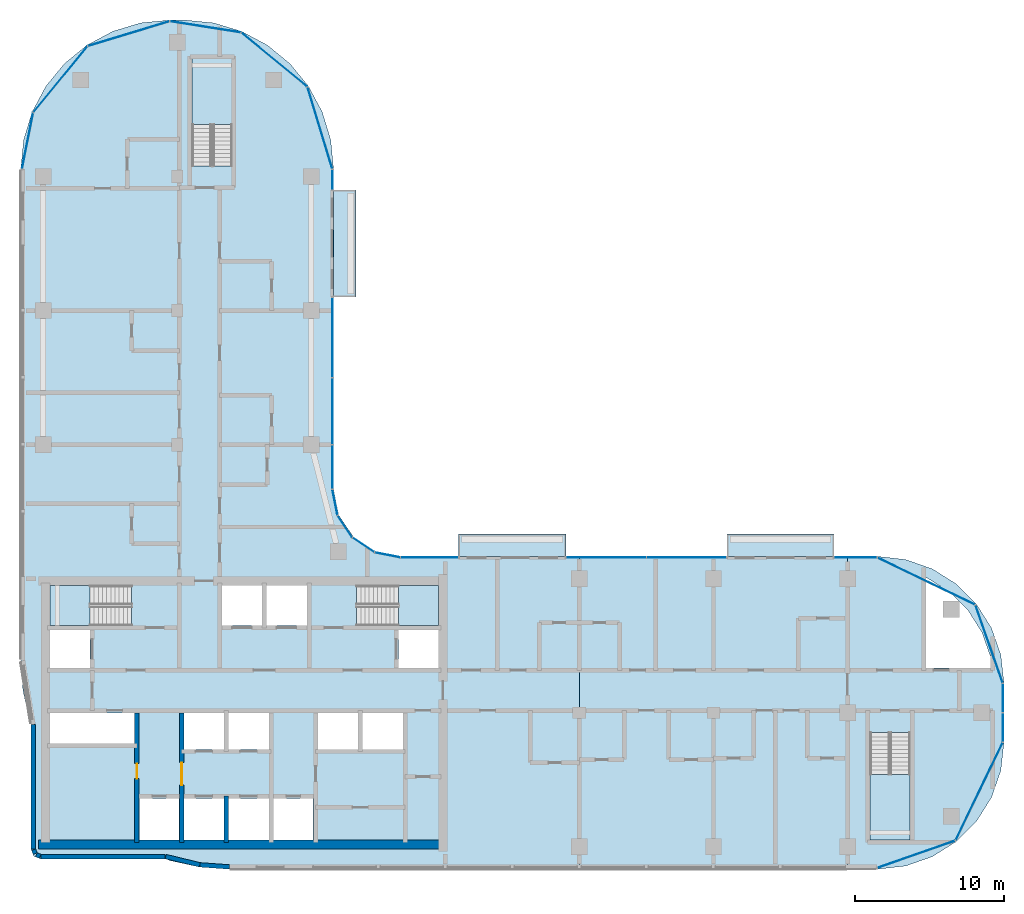
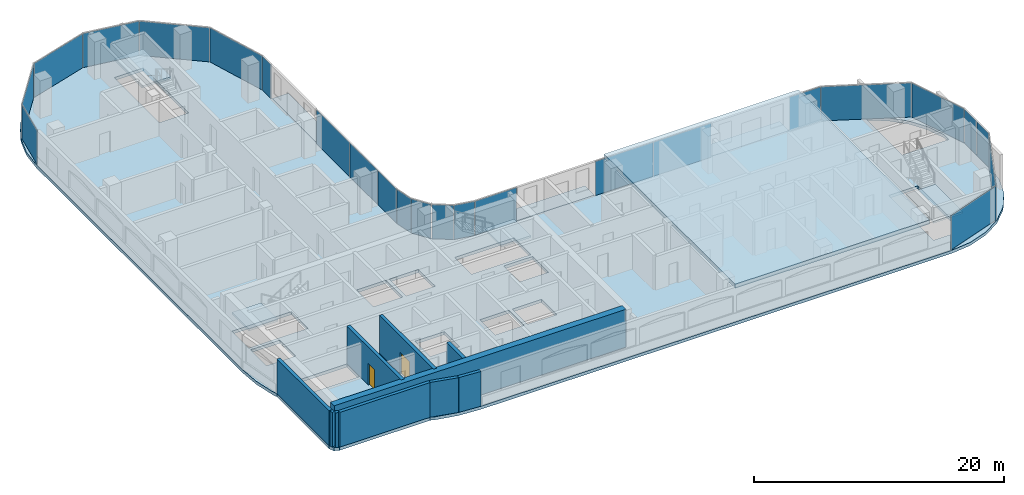
# One storey, part 6 of 22: 24 plates, 10 walls, 9 slabs, 2 doors, 2 openings, 14 elements without a shape of their own.
"""IFC4 building model written with IfcOpenShell, lengths in metres."""

from ifc_helpers import new_model, si_unit, direction, frame, frame_2d, origin, origin_2d, place, context, subcontext, project, spatial, polyline, rectangle, outline, extrude, material, layer, layer_set, type_object, element, fill, aggregate, save


model = new_model("IFC4")

# Units and contexts
model_context = context("Model", 3, precision=1e-05, world=origin(), true_north=direction((0.0, 1.0)))
body_context = subcontext(model_context, "Body", "Model", "MODEL_VIEW")
ifc_project = project(units=[si_unit("LENGTHUNIT", "METRE"), si_unit("AREAUNIT", "SQUARE_METRE"), si_unit("VOLUMEUNIT", "CUBIC_METRE"), si_unit("PLANEANGLEUNIT", "RADIAN"), si_unit("MASSUNIT", "GRAM", prefix="KILO")], contexts=[model_context])

# Site, building, storey
site_placement = place(None, origin())
site = spatial("IfcSite", under=ifc_project, at=site_placement, CompositionType="ELEMENT")
building_placement = place(site_placement, origin())
building = spatial("IfcBuilding", under=site, at=building_placement, Name="Ogive Portal Towers", CompositionType="ELEMENT")
storey_placement = place(building_placement, frame((0.0, 0.0, 145.89990234375)))
storey = spatial("IfcBuildingStorey", under=building, at=storey_placement, Name="L35", CompositionType="ELEMENT", Elevation=145.89990234375)

# Slabs
ifc_material_1 = material(Name="Concrete C40/50", Category="concrete")
ifc_layer_1 = layer(ifc_material_1, 0.199951171875)
ifc_layer_set_1 = layer_set([ifc_layer_1], Name="BALCONY SLAB 200")
slab_type_1 = type_object("IfcSlabType", Name="BALCONY SLAB 200", PredefinedType="FLOOR", material=ifc_layer_set_1)
slab_1_placement = place(storey_placement, frame((0.0, 0.0, -0.199951171875)))
element("IfcSlab", 1, at=slab_1_placement, inside=storey, type_object=slab_type_1, Name="Balcony T1", PredefinedType="FLOOR", context=body_context, shape_type="SweptSolid", body=[
    extrude(outline(polyline([(59.39990234375, 41.0), (66.60009765625, 41.0), (66.60009765625, 42.5), (59.39990234375, 42.5), (59.39990234375, 41.0)])), origin(), (0.0, 0.0, 1.0), 0.199951171875),
])
slab_2_placement = place(storey_placement, frame((0.0, 0.0, -0.199951171875)))
element("IfcSlab", 2, at=slab_2_placement, inside=storey, type_object=slab_type_1, Name="Balcony T3", PredefinedType="FLOOR", context=body_context, shape_type="SweptSolid", body=[
    extrude(outline(polyline([(77.39990234375, 41.0), (84.60009765625, 41.0), (84.60009765625, 42.5), (77.39990234375, 42.5), (77.39990234375, 41.0)])), origin(), (0.0, 0.0, 1.0), 0.199951171875),
])
slab_3_placement = place(storey_placement, frame((0.0, 0.0, -0.199951171875)))
element("IfcSlab", 3, at=slab_3_placement, inside=storey, type_object=slab_type_1, Name="Balcony S2", PredefinedType="FLOOR", context=body_context, shape_type="SweptSolid", body=[
    extrude(outline(polyline([(51.0, 58.39990234375), (52.5, 58.39990234375), (52.5, 65.60009765625), (51.0, 65.60009765625), (51.0, 58.39990234375)])), origin(), (0.0, 0.0, 1.0), 0.199951171875),
])

# Curtain wall, plates
ifc_material_2 = material(Name="Glass, clear low-iron insulated glazing", Category="glass")
curtain_wall_type = type_object("IfcCurtainWallType", Name="CW FRONT RIBBON 4500", PredefinedType="NOTDEFINED", material=ifc_material_2)
curtain_wall_1_placement = place(storey_placement, origin())
curtain_wall_1 = element("IfcCurtainWall", 4, at=curtain_wall_1_placement, inside=storey, type_object=curtain_wall_type, Name="A:L35:f09:cw0", PredefinedType="NOTDEFINED")
ifc_layer_2 = layer(ifc_material_2, 0.028076171875)
ifc_layer_set_2 = layer_set([ifc_layer_2], Name="CW PANEL IGU 28")
plate_type = type_object("IfcPlateType", Name="CW PANEL IGU 28", PredefinedType="CURTAIN_PANEL", material=ifc_layer_set_2)
plate_1_placement = place(storey_placement, frame((95.919921875, 29.509033203125, 0.0), z_axis=(0.0, 0.0, 1.0), x_axis=(0.0, 1.0, 0.0)))
plate_1 = element("IfcPlate", 5, at=plate_1_placement, type_object=plate_type, Name="panel", PredefinedType="CURTAIN_PANEL", context=body_context, shape_type="SweptSolid", body=[
    extrude(rectangle(XDim=1.921630859375, YDim=0.028076171875, at=origin_2d()), origin(), (0.0, 0.0, 1.0), 3.340087890625),
])
plate_2_placement = place(storey_placement, frame((95.919921875, 31.4931640625, 0.0), z_axis=(0.0, 0.0, 1.0), x_axis=(0.0, 1.0, 0.0)))
plate_2 = element("IfcPlate", 6, at=plate_2_placement, type_object=plate_type, Name="panel", PredefinedType="CURTAIN_PANEL", context=body_context, shape_type="SweptSolid", body=[
    extrude(rectangle(XDim=1.926513671875, YDim=0.028076171875, at=origin_2d()), origin(), (0.0, 0.0, 1.0), 3.340087890625),
])
aggregate(curtain_wall_1, [plate_1, plate_2])

# Curtain wall, plate
curtain_wall_2_placement = place(storey_placement, origin())
curtain_wall_2 = element("IfcCurtainWall", 7, at=curtain_wall_2_placement, inside=storey, type_object=curtain_wall_type, Name="A:L35:f12:cw0", PredefinedType="NOTDEFINED")
plate_3_placement = place(storey_placement, frame((86.0322265625, 40.919921875, 0.0), z_axis=(0.0, 0.0, 1.0), x_axis=(-1.0, 0.0, 0.0)))
plate_3 = element("IfcPlate", 8, at=plate_3_placement, type_object=plate_type, Name="panel", PredefinedType="CURTAIN_PANEL", context=body_context, shape_type="SweptSolid", body=[
    extrude(rectangle(XDim=2.839111328125, YDim=0.028076171875, at=origin_2d()), origin(), (0.0, 0.0, 1.0), 3.340087890625),
])
aggregate(curtain_wall_2, [plate_3])

# Curtain wall, plates
curtain_wall_3_placement = place(storey_placement, origin())
curtain_wall_3 = element("IfcCurtainWall", 9, at=curtain_wall_3_placement, inside=storey, type_object=curtain_wall_type, Name="A:L35:f12:cw1", PredefinedType="NOTDEFINED")
plate_4_placement = place(storey_placement, frame((74.692626953125, 40.919921875, 0.0), z_axis=(0.0, 0.0, 1.0), x_axis=(-1.0, 0.0, 0.0)))
plate_4 = element("IfcPlate", 10, at=plate_4_placement, type_object=plate_type, Name="panel", PredefinedType="CURTAIN_PANEL", context=body_context, shape_type="SweptSolid", body=[
    extrude(rectangle(XDim=5.324951171875, YDim=0.028076171875, at=origin_2d()), origin(), (0.0, 0.0, 1.0), 3.340087890625),
])
plate_5_placement = place(storey_placement, frame((69.294189453125, 40.919921875, 0.0), z_axis=(0.0, 0.0, 1.0), x_axis=(-1.0, 0.0, 0.0)))
plate_5 = element("IfcPlate", 11, at=plate_5_placement, type_object=plate_type, Name="panel", PredefinedType="CURTAIN_PANEL", context=body_context, shape_type="SweptSolid", body=[
    extrude(rectangle(XDim=5.3515625, YDim=0.028076171875, at=origin_2d()), origin(), (0.0, 0.0, 1.0), 3.340087890625),
])
aggregate(curtain_wall_3, [plate_4, plate_5])

# Curtain wall, plate
curtain_wall_4_placement = place(storey_placement, origin())
curtain_wall_4 = element("IfcCurtainWall", 12, at=curtain_wall_4_placement, inside=storey, type_object=curtain_wall_type, Name="A:L35:f12:cw2", PredefinedType="NOTDEFINED")
plate_6_placement = place(storey_placement, frame((57.44140625, 40.919921875, 0.0), z_axis=(0.0, 0.0, 1.0), x_axis=(-1.0, 0.0, 0.0)))
plate_6 = element("IfcPlate", 13, at=plate_6_placement, type_object=plate_type, Name="panel", PredefinedType="CURTAIN_PANEL", context=body_context, shape_type="SweptSolid", body=[
    extrude(rectangle(XDim=3.838623046875, YDim=0.028076171875, at=origin_2d()), origin(), (0.0, 0.0, 1.0), 3.340087890625),
])
aggregate(curtain_wall_4, [plate_6])

# Curtain wall, plates
curtain_wall_5_placement = place(storey_placement, origin())
curtain_wall_5 = element("IfcCurtainWall", 14, at=curtain_wall_5_placement, inside=storey, type_object=curtain_wall_type, Name="A:L35:f17:cw0", PredefinedType="NOTDEFINED")
plate_7_placement = place(storey_placement, frame((50.919921875, 46.99609375, 0.0), z_axis=(0.0, 0.0, 1.0), x_axis=(0.0, 1.0, 0.0)))
plate_7 = element("IfcPlate", 15, at=plate_7_placement, type_object=plate_type, Name="panel", PredefinedType="CURTAIN_PANEL", context=body_context, shape_type="SweptSolid", body=[
    extrude(rectangle(XDim=2.947998046875, YDim=0.028076171875, at=origin_2d()), origin(), (0.0, 0.0, 1.0), 3.340087890625),
])
plate_8_placement = place(storey_placement, frame((50.919921875, 50.75, 0.0), z_axis=(0.0, 0.0, 1.0), x_axis=(0.0, 1.0, 0.0)))
plate_8 = element("IfcPlate", 16, at=plate_8_placement, type_object=plate_type, Name="panel", PredefinedType="CURTAIN_PANEL", context=body_context, shape_type="SweptSolid", body=[
    extrude(rectangle(XDim=4.43994140625, YDim=0.028076171875, at=origin_2d()), origin(), (0.0, 0.0, 1.0), 3.340087890625),
])
plate_9_placement = place(storey_placement, frame((50.919921875, 55.69482421875, 0.0), z_axis=(0.0, 0.0, 1.0), x_axis=(0.0, 1.0, 0.0)))
plate_9 = element("IfcPlate", 17, at=plate_9_placement, type_object=plate_type, Name="panel", PredefinedType="CURTAIN_PANEL", context=body_context, shape_type="SweptSolid", body=[
    extrude(rectangle(XDim=5.329833984375, YDim=0.028076171875, at=origin_2d()), origin(), (0.0, 0.0, 1.0), 3.340087890625),
])
aggregate(curtain_wall_5, [plate_7, plate_8, plate_9])

# Curtain wall, plate
curtain_wall_6_placement = place(storey_placement, origin())
curtain_wall_6 = element("IfcCurtainWall", 18, at=curtain_wall_6_placement, inside=storey, type_object=curtain_wall_type, Name="A:L35:f17:cw1", PredefinedType="NOTDEFINED")
plate_10_placement = place(storey_placement, frame((50.919921875, 66.288330078125, 0.0), z_axis=(0.0, 0.0, 1.0), x_axis=(0.0, 1.0, 0.0)))
plate_10 = element("IfcPlate", 19, at=plate_10_placement, type_object=plate_type, Name="panel", PredefinedType="CURTAIN_PANEL", context=body_context, shape_type="SweptSolid", body=[
    extrude(rectangle(XDim=1.33984375, YDim=0.028076171875, at=origin_2d()), origin(), (0.0, 0.0, 1.0), 3.340087890625),
])
aggregate(curtain_wall_6, [plate_10])

# Curtain wall, plates
curtain_wall_7_placement = place(storey_placement, origin())
curtain_wall_7 = element("IfcCurtainWall", 20, at=curtain_wall_7_placement, inside=storey, type_object=curtain_wall_type, Name="A:L35:f07:cwa", PredefinedType="NOTDEFINED")
plate_11_placement = place(storey_placement, frame((90.1142578125, 20.99951171875, 0.0), z_axis=(0.0, 0.0, 1.0), x_axis=(0.943883330307, 0.33027906196, 0.0)))
plate_11 = element("IfcPlate", 21, at=plate_11_placement, type_object=plate_type, Name="panel", PredefinedType="CURTAIN_PANEL", context=body_context, shape_type="SweptSolid", body=[
    extrude(rectangle(XDim=5.508056640625, YDim=0.028076171875, at=origin_2d()), origin(), (0.0, 0.0, 1.0), 3.340087890625),
])
plate_12_placement = place(storey_placement, frame((94.3310546875, 25.21875, 0.0), z_axis=(0.0, 0.0, 1.0), x_axis=(0.433883739113, 0.900968867905, 0.0)))
plate_12 = element("IfcPlate", 22, at=plate_12_placement, type_object=plate_type, Name="panel", PredefinedType="CURTAIN_PANEL", context=body_context, shape_type="SweptSolid", body=[
    extrude(rectangle(XDim=7.2646484375, YDim=0.028076171875, at=origin_2d()), origin(), (0.0, 0.0, 1.0), 3.340087890625),
])
aggregate(curtain_wall_7, [plate_11, plate_12])

curtain_wall_8_placement = place(storey_placement, origin())
curtain_wall_8 = element("IfcCurtainWall", 23, at=curtain_wall_8_placement, inside=storey, type_object=curtain_wall_type, Name="A:L35:f10:cwa", PredefinedType="NOTDEFINED")
plate_13_placement = place(storey_placement, frame((95.00048828125, 35.1142578125, 0.0), z_axis=(0.0, 0.0, 1.0), x_axis=(-0.33027906196, 0.943883330307, 0.0)))
plate_13 = element("IfcPlate", 24, at=plate_13_placement, type_object=plate_type, Name="panel", PredefinedType="CURTAIN_PANEL", context=body_context, shape_type="SweptSolid", body=[
    extrude(rectangle(XDim=5.508056640625, YDim=0.028076171875, at=origin_2d()), origin(), (0.0, 0.0, 1.0), 3.340087890625),
])
plate_14_placement = place(storey_placement, frame((90.78125, 39.3310546875, 0.0), z_axis=(0.0, 0.0, 1.0), x_axis=(-0.900968867905, 0.433883739113, 0.0)))
plate_14 = element("IfcPlate", 25, at=plate_14_placement, type_object=plate_type, Name="panel", PredefinedType="CURTAIN_PANEL", context=body_context, shape_type="SweptSolid", body=[
    extrude(rectangle(XDim=7.2646484375, YDim=0.028076171875, at=origin_2d()), origin(), (0.0, 0.0, 1.0), 3.340087890625),
])
aggregate(curtain_wall_8, [plate_13, plate_14])

curtain_wall_9_placement = place(storey_placement, origin())
curtain_wall_9 = element("IfcCurtainWall", 26, at=curtain_wall_9_placement, inside=storey, type_object=curtain_wall_type, Name="A:L35:f13:cwa", PredefinedType="NOTDEFINED")
plate_15_placement = place(storey_placement, frame((54.619384765625, 41.093505859375, 0.0), z_axis=(0.0, 0.0, 1.0), x_axis=(-0.980785280403, 0.195090322016, 0.0)))
plate_15 = element("IfcPlate", 27, at=plate_15_placement, type_object=plate_type, Name="panel", PredefinedType="CURTAIN_PANEL", context=body_context, shape_type="SweptSolid", body=[
    extrude(rectangle(XDim=1.7197265625, YDim=0.028076171875, at=origin_2d()), origin(), (0.0, 0.0, 1.0), 3.340087890625),
])
plate_16_placement = place(storey_placement, frame((53.00341796875, 41.763671875, 0.0), z_axis=(0.0, 0.0, 1.0), x_axis=(-0.831469612303, 0.55557023302, 0.0)))
plate_16 = element("IfcPlate", 28, at=plate_16_placement, type_object=plate_type, Name="panel", PredefinedType="CURTAIN_PANEL", context=body_context, shape_type="SweptSolid", body=[
    extrude(rectangle(XDim=1.7275390625, YDim=0.028076171875, at=origin_2d()), origin(), (0.0, 0.0, 1.0), 3.340087890625),
])
plate_17_placement = place(storey_placement, frame((51.763671875, 43.00341796875, 0.0), z_axis=(0.0, 0.0, 1.0), x_axis=(-0.55557023302, 0.831469612303, 0.0)))
plate_17 = element("IfcPlate", 29, at=plate_17_placement, type_object=plate_type, Name="panel", PredefinedType="CURTAIN_PANEL", context=body_context, shape_type="SweptSolid", body=[
    extrude(rectangle(XDim=1.7275390625, YDim=0.028076171875, at=origin_2d()), origin(), (0.0, 0.0, 1.0), 3.340087890625),
])
plate_18_placement = place(storey_placement, frame((51.093505859375, 44.619384765625, 0.0), z_axis=(0.0, 0.0, 1.0), x_axis=(-0.195090322016, 0.980785280403, 0.0)))
plate_18 = element("IfcPlate", 30, at=plate_18_placement, type_object=plate_type, Name="panel", PredefinedType="CURTAIN_PANEL", context=body_context, shape_type="SweptSolid", body=[
    extrude(rectangle(XDim=1.7197265625, YDim=0.028076171875, at=origin_2d()), origin(), (0.0, 0.0, 1.0), 3.340087890625),
])
aggregate(curtain_wall_9, [plate_15, plate_16, plate_17, plate_18])

curtain_wall_10_placement = place(storey_placement, origin())
curtain_wall_10 = element("IfcCurtainWall", 31, at=curtain_wall_10_placement, inside=storey, type_object=curtain_wall_type, Name="A:L35:f18:cwa", PredefinedType="NOTDEFINED")
plate_19_placement = place(storey_placement, frame((50.08251953125, 69.748779296875, 0.0), z_axis=(0.0, 0.0, 1.0), x_axis=(-0.290284677254, 0.956940335732, 0.0)))
plate_19 = element("IfcPlate", 32, at=plate_19_placement, type_object=plate_type, Name="panel", PredefinedType="CURTAIN_PANEL", context=body_context, shape_type="SweptSolid", body=[
    extrude(rectangle(XDim=5.70947265625, YDim=0.028076171875, at=origin_2d()), origin(), (0.0, 0.0, 1.0), 3.340087890625),
])
plate_20_placement = place(storey_placement, frame((47.01904296875, 74.336181640625, 0.0), z_axis=(0.0, 0.0, 1.0), x_axis=(-0.773010453363, 0.634393284164, 0.0)))
plate_20 = element("IfcPlate", 33, at=plate_20_placement, type_object=plate_type, Name="panel", PredefinedType="CURTAIN_PANEL", context=body_context, shape_type="SweptSolid", body=[
    extrude(rectangle(XDim=5.69970703125, YDim=0.028076171875, at=origin_2d()), origin(), (0.0, 0.0, 1.0), 3.340087890625),
])
plate_21_placement = place(storey_placement, frame((42.399169921875, 76.54052734375, 0.0), z_axis=(0.0, 0.0, 1.0), x_axis=(-0.987792174992, 0.155777466355, 0.0)))
plate_21 = element("IfcPlate", 34, at=plate_21_placement, type_object=plate_type, Name="panel", PredefinedType="CURTAIN_PANEL", context=body_context, shape_type="SweptSolid", body=[
    extrude(rectangle(XDim=4.786376953125, YDim=0.028076171875, at=origin_2d()), origin(), (0.0, 0.0, 1.0), 3.340087890625),
])
plate_22_placement = place(storey_placement, frame((37.248291015625, 76.08154296875, 0.0), z_axis=(0.0, 0.0, 1.0), x_axis=(-0.956940335732, -0.290284677254, 0.0)))
plate_22 = element("IfcPlate", 35, at=plate_22_placement, type_object=plate_type, Name="panel", PredefinedType="CURTAIN_PANEL", context=body_context, shape_type="SweptSolid", body=[
    extrude(rectangle(XDim=5.703125, YDim=0.028076171875, at=origin_2d()), origin(), (0.0, 0.0, 1.0), 3.340087890625),
])
plate_23_placement = place(storey_placement, frame((32.663330078125, 73.018310546875, 0.0), z_axis=(0.0, 0.0, 1.0), x_axis=(-0.634393284164, -0.773010453363, 0.0)))
plate_23 = element("IfcPlate", 36, at=plate_23_placement, type_object=plate_type, Name="panel", PredefinedType="CURTAIN_PANEL", context=body_context, shape_type="SweptSolid", body=[
    extrude(rectangle(XDim=5.701416015625, YDim=0.028076171875, at=origin_2d()), origin(), (0.0, 0.0, 1.0), 3.340087890625),
])
plate_24_placement = place(storey_placement, frame((30.457763671875, 68.891845703125, 0.0), z_axis=(0.0, 0.0, 1.0), x_axis=(-0.195090322016, -0.980785280403, 0.0)))
plate_24 = element("IfcPlate", 37, at=plate_24_placement, type_object=plate_type, Name="panel", PredefinedType="CURTAIN_PANEL", context=body_context, shape_type="SweptSolid", body=[
    extrude(rectangle(XDim=3.81396484375, YDim=0.028076171875, at=origin_2d()), origin(), (0.0, 0.0, 1.0), 3.340087890625),
])
aggregate(curtain_wall_10, [plate_19, plate_20, plate_21, plate_22, plate_23, plate_24])

# Stair, slab
stair_type = type_object("IfcStairType", Name="INT-STAIR", PredefinedType="HALF_TURN_STAIR", material=ifc_material_1)
stair_1_placement = place(storey_placement, origin())
stair_1 = element("IfcStair", 38, at=stair_1_placement, inside=storey, type_object=stair_type, Name="L35 Exit Stair ST-A1", PredefinedType="HALF_TURN_STAIR")
ifc_layer_3 = layer(ifc_material_1, 0.199951171875)
ifc_layer_set_3 = layer_set([ifc_layer_3], Name="INT-LANDING")
slab_type_2 = type_object("IfcSlabType", Name="INT-LANDING", PredefinedType="LANDING", material=ifc_layer_set_3)
slab_4_placement = place(storey_placement, frame((0.0, 0.0, 1.650146484375)))
slab_4 = element("IfcSlab", 39, at=slab_4_placement, type_object=slab_type_2, Name="ST-A1 landing 1", PredefinedType="LANDING", context=body_context, shape_type="SweptSolid", body=[
    extrude(outline(polyline([(34.64990234375, 39.050048828125), (31.949951171875, 39.050048828125), (31.949951171875, 36.35009765625), (34.64990234375, 36.35009765625), (34.64990234375, 39.050048828125)])), origin(), (0.0, 0.0, 1.0), 0.199951171875),
])
aggregate(stair_1, [slab_4])

stair_2_placement = place(storey_placement, origin())
stair_2 = element("IfcStair", 40, at=stair_2_placement, inside=storey, type_object=stair_type, Name="L35 Exit Stair ST-A2", PredefinedType="HALF_TURN_STAIR")
slab_5_placement = place(storey_placement, frame((0.0, 0.0, 1.650146484375)))
slab_5 = element("IfcSlab", 41, at=slab_5_placement, type_object=slab_type_2, Name="ST-A2 landing 1", PredefinedType="LANDING", context=body_context, shape_type="SweptSolid", body=[
    extrude(outline(polyline([(55.35009765625, 36.35009765625), (58.050048828125, 36.35009765625), (58.050048828125, 39.050048828125), (55.35009765625, 39.050048828125), (55.35009765625, 36.35009765625)])), origin(), (0.0, 0.0, 1.0), 0.199951171875),
])
aggregate(stair_2, [slab_5])

stair_3_placement = place(storey_placement, origin())
stair_3 = element("IfcStair", 42, at=stair_3_placement, inside=storey, type_object=stair_type, Name="L35 Exit Stair ST-A3", PredefinedType="HALF_TURN_STAIR")
slab_6_placement = place(storey_placement, frame((0.0, 0.0, 1.650146484375)))
slab_6 = element("IfcSlab", 43, at=slab_6_placement, type_object=slab_type_2, Name="ST-A3 landing 1", PredefinedType="LANDING", context=body_context, shape_type="SweptSolid", body=[
    extrude(outline(polyline([(44.199951171875, 70.0), (44.199951171875, 74.449951171875), (41.5, 74.449951171875), (41.5, 70.0), (44.199951171875, 70.0)])), origin(), (0.0, 0.0, 1.0), 0.199951171875),
])
aggregate(stair_3, [slab_6])

stair_4_placement = place(storey_placement, origin())
stair_4 = element("IfcStair", 44, at=stair_4_placement, inside=storey, type_object=stair_type, Name="L35 Exit Stair ST-A4", PredefinedType="HALF_TURN_STAIR")
slab_7_placement = place(storey_placement, frame((0.0, 0.0, 1.650146484375)))
slab_7 = element("IfcSlab", 45, at=slab_7_placement, type_object=slab_type_2, Name="ST-A4 landing 1", PredefinedType="LANDING", context=body_context, shape_type="SweptSolid", body=[
    extrude(outline(polyline([(87.0, 26.3701171875), (87.0, 21.949951171875), (89.699951171875, 21.949951171875), (89.699951171875, 26.3701171875), (87.0, 26.3701171875)])), origin(), (0.0, 0.0, 1.0), 0.199951171875),
])
aggregate(stair_4, [slab_7])

# Slabs
ifc_material_3 = material(Name="Concrete C45/55", Category="concrete")
ifc_layer_4 = layer(ifc_material_3, 0.300048828125)
ifc_layer_set_4 = layer_set([ifc_layer_4], Name="PT FLAT PLATE 300")
slab_type_3 = type_object("IfcSlabType", Name="PT FLAT PLATE 300", PredefinedType="FLOOR", material=ifc_layer_set_4)
slab_8_placement = place(storey_placement, frame((0.0, 0.0, -0.2998046875)))
element("IfcSlab", 46, at=slab_8_placement, inside=storey, type_object=slab_type_3, Name="Floor slab L35", PredefinedType="FLOOR", context=body_context, shape_type="SweptSolid", body=[
    extrude(outline(polyline([(30.142578125, 32.007568359375), (30.567138671875, 30.0556640625), (30.699951171875, 29.699462890625), (30.699951171875, 21.300048828125), (30.875732421875, 20.875732421875), (31.300048828125, 20.699951171875), (39.699462890625, 20.699951171875), (40.0556640625, 20.567138671875), (42.007568359375, 20.142578125), (44.0, 20.0), (87.5, 20.0), (89.391357421875, 20.213134765625), (91.18798828125, 20.841796875), (92.7998046875, 21.8544921875), (94.1455078125, 23.2001953125), (95.158203125, 24.81201171875), (95.786865234375, 26.608642578125), (96.0, 28.5), (96.0, 32.5), (95.786865234375, 34.391357421875), (95.158203125, 36.18798828125), (94.1455078125, 37.7998046875), (92.7998046875, 39.1455078125), (91.18798828125, 40.158203125), (89.391357421875, 40.786865234375), (87.5, 41.0), (55.5, 41.0), (53.77783203125, 41.342529296875), (52.318115234375, 42.318115234375), (51.342529296875, 43.77783203125), (51.0, 45.5), (51.0, 67.0), (50.807861328125, 68.950927734375), (50.23876953125, 70.826904296875), (49.314697265625, 72.5556640625), (48.071044921875, 74.071044921875), (46.5556640625, 75.314697265625), (44.826904296875, 76.23876953125), (42.950927734375, 76.807861328125), (41.0, 77.0), (40.0, 77.0), (38.049072265625, 76.807861328125), (36.173095703125, 76.23876953125), (34.4443359375, 75.314697265625), (32.928955078125, 74.071044921875), (31.685302734375, 72.5556640625), (30.76123046875, 70.826904296875), (30.192138671875, 68.950927734375), (30.0, 67.0), (30.0, 34.0), (30.142578125, 32.007568359375)]), holes=[polyline([(40.6298828125, 21.969970703125), (37.969970703125, 21.969970703125), (37.969970703125, 24.72998046875), (40.6298828125, 24.72998046875), (40.6298828125, 21.969970703125)]), polyline([(43.64990234375, 24.75), (43.64990234375, 21.949951171875), (40.949951171875, 21.949951171875), (40.949951171875, 24.75), (43.64990234375, 24.75)]), polyline([(46.64990234375, 24.75), (46.64990234375, 21.949951171875), (43.949951171875, 21.949951171875), (43.949951171875, 24.75), (46.64990234375, 24.75)]), polyline([(43.64990234375, 30.5), (43.64990234375, 28.050048828125), (40.949951171875, 28.050048828125), (40.949951171875, 30.5), (43.64990234375, 30.5)]), polyline([(37.6298828125, 28.447021484375), (31.969970703125, 28.447021484375), (31.969970703125, 30.47998046875), (37.6298828125, 30.47998046875), (37.6298828125, 28.447021484375)]), polyline([(34.64990234375, 36.050048828125), (34.64990234375, 33.5), (31.949951171875, 33.5), (31.949951171875, 36.050048828125), (34.64990234375, 36.050048828125)]), polyline([(31.951904296875, 39.048095703125), (37.447998046875, 39.048095703125), (37.447998046875, 36.35205078125), (31.951904296875, 36.35205078125), (31.951904296875, 39.048095703125)]), polyline([(46.199951171875, 36.35009765625), (43.5, 36.35009765625), (43.5, 39.050048828125), (46.199951171875, 39.050048828125), (46.199951171875, 36.35009765625)]), polyline([(44.197998046875, 67.201904296875), (41.501953125, 67.201904296875), (41.501953125, 74.447998046875), (44.197998046875, 74.447998046875), (44.197998046875, 67.201904296875)]), polyline([(49.6298828125, 21.969970703125), (46.969970703125, 21.969970703125), (46.969970703125, 24.72998046875), (49.6298828125, 24.72998046875), (49.6298828125, 21.969970703125)]), polyline([(87.001953125, 21.951904296875), (87.001953125, 29.16796875), (89.697998046875, 29.16796875), (89.697998046875, 21.951904296875), (87.001953125, 21.951904296875)]), polyline([(46.64990234375, 30.5), (46.64990234375, 28.050048828125), (43.949951171875, 28.050048828125), (43.949951171875, 30.5), (46.64990234375, 30.5)]), polyline([(52.64990234375, 30.5), (52.64990234375, 28.050048828125), (49.949951171875, 28.050048828125), (49.949951171875, 30.5), (52.64990234375, 30.5)]), polyline([(55.64990234375, 30.5), (55.64990234375, 28.050048828125), (52.949951171875, 28.050048828125), (52.949951171875, 30.5), (55.64990234375, 30.5)]), polyline([(58.050048828125, 36.050048828125), (58.050048828125, 33.5), (55.35009765625, 33.5), (55.35009765625, 36.050048828125), (58.050048828125, 36.050048828125)]), polyline([(93.5947265625, 37.360595703125), (94.523681640625, 35.88232421875), (95.080078125, 34.292236328125), (95.080078125, 33.52001953125), (90.77001953125, 33.52001953125), (90.77001953125, 39.56298828125), (90.88232421875, 39.523681640625), (92.360595703125, 38.5947265625), (93.5947265625, 37.360595703125)]), polyline([(49.199951171875, 36.35009765625), (46.5, 36.35009765625), (46.5, 39.050048828125), (49.199951171875, 39.050048828125), (49.199951171875, 36.35009765625)]), polyline([(52.552001953125, 36.35205078125), (52.552001953125, 39.048095703125), (58.048095703125, 39.048095703125), (58.048095703125, 36.35205078125), (52.552001953125, 36.35205078125)])]), origin(), (0.0, 0.0, 1.0), 0.2998046875),
])
ifc_layer_5 = layer(ifc_material_3, 0.39990234375)
ifc_layer_set_5 = layer_set([ifc_layer_5], Name="PT ROOF SLAB 400")
slab_type_4 = type_object("IfcSlabType", Name="PT ROOF SLAB 400", PredefinedType="ROOF", material=ifc_layer_set_5)
slab_9_placement = place(storey_placement, frame((0.0, 0.0, 3.300048828125)))
element("IfcSlab", 47, at=slab_9_placement, inside=storey, type_object=slab_type_4, Name="Portal floor", PredefinedType="ROOF", context=body_context, shape_type="SweptSolid", body=[
    extrude(outline(polyline([(85.5, 41.0), (67.5, 41.0), (67.5, 20.0), (85.5, 20.0), (85.5, 41.0)])), origin(), (0.0, 0.0, 1.0), 0.400146484375),
])

# Wall, opening, door
ifc_material_4 = material(Name="Concrete C60/75", Category="concrete")
ifc_layer_6 = layer(ifc_material_4, 0.300048828125)
ifc_layer_set_6 = layer_set([ifc_layer_6], Name="CORE WALL 300 C60")
wall_type_1 = type_object("IfcWallType", Name="CORE WALL 300 C60", PredefinedType="SHEAR", material=ifc_layer_set_6)
wall_1_placement = place(storey_placement, frame((37.800048828125, 21.800048828125, 0.0), z_axis=(0.0, 0.0, 1.0), x_axis=(0.0, 1.0, 0.0)))
wall_1 = element("IfcWall", 48, at=wall_1_placement, inside=storey, type_object=wall_type_1, Name="Core wall X1 L35", PredefinedType="SHEAR", context=body_context, shape_type="SweptSolid", body=[
    extrude(rectangle(XDim=8.699951171875, YDim=0.300048828125, at=frame_2d((4.35009765625, 0.0))), origin(), (0.0, 0.0, 1.0), 3.7001953125),
])
opening_1_placement = place(wall_1_placement, frame((4.2880859375, 0.0, 0.0)))
opening_1 = element("IfcOpeningElement", 49, at=opening_1_placement, cuts=wall_1, Name="Opening D13-022", PredefinedType="OPENING", context=body_context, shape_type="SweptSolid", body=[
    extrude(rectangle(XDim=1.0, YDim=2.10009765625, at=frame_2d((0.5, 1.050048828125))), frame((0.0, 0.16015625, 0.0), z_axis=(0.0, -1.0, 0.0), x_axis=(1.0, 0.0, 0.0)), (0.0, 0.0, 1.0), 0.320068359375),
])
ifc_material_5 = material(Name="Steel fire door", Category="steel")
door_type_1 = type_object("IfcDoorType", Name="DT-SWING-1000x2100-FD90S", OperationType="SINGLE_SWING_LEFT", PredefinedType="DOOR", material=ifc_material_5)
door_1_placement = place(opening_1_placement, origin())
door_1 = element("IfcDoor", 50, at=door_1_placement, inside=storey, type_object=door_type_1, Name="Door D13-022", OperationType="SINGLE_SWING_RIGHT", OverallHeight=2.10009765625, OverallWidth=1.0, PredefinedType="DOOR", context=body_context, shape_type="SweptSolid", body=[
    extrude(rectangle(XDim=1.0, YDim=2.10009765625, at=frame_2d((0.5, 1.050048828125))), frame((0.0, 0.02490234375, 0.0), z_axis=(0.0, -1.0, 0.0), x_axis=(1.0, 0.0, 0.0)), (0.0, 0.0, 1.0), 0.050048828125),
])
fill(opening_1, door_1)

wall_2_placement = place(storey_placement, frame((40.800048828125, 21.800048828125, 0.0), z_axis=(0.0, 0.0, 1.0), x_axis=(0.0, 1.0, 0.0)))
wall_2 = element("IfcWall", 51, at=wall_2_placement, inside=storey, type_object=wall_type_1, Name="Core wall X2 L35", PredefinedType="SHEAR", context=body_context, shape_type="SweptSolid", body=[
    extrude(rectangle(XDim=8.699951171875, YDim=0.300048828125, at=frame_2d((4.35009765625, 0.0))), origin(), (0.0, 0.0, 1.0), 3.7001953125),
])
opening_2_placement = place(wall_2_placement, frame((3.85009765625, 0.0, 0.0)))
opening_2 = element("IfcOpeningElement", 52, at=opening_2_placement, cuts=wall_2, Name="Opening D13-001", PredefinedType="OPENING", context=body_context, shape_type="SweptSolid", body=[
    extrude(rectangle(XDim=1.5, YDim=2.10009765625, at=frame_2d((0.75, 1.050048828125))), frame((0.0, 0.16015625, 0.0), z_axis=(0.0, -1.0, 0.0), x_axis=(1.0, 0.0, 0.0)), (0.0, 0.0, 1.0), 0.320068359375),
])
door_type_2 = type_object("IfcDoorType", Name="DT-SWING-1500x2100-FD90S", OperationType="SINGLE_SWING_LEFT", PredefinedType="DOOR", material=ifc_material_5)
door_2_placement = place(opening_2_placement, origin())
door_2 = element("IfcDoor", 53, at=door_2_placement, inside=storey, type_object=door_type_2, Name="Door D13-001", OperationType="SINGLE_SWING_RIGHT", OverallHeight=2.10009765625, OverallWidth=1.5, PredefinedType="DOOR", context=body_context, shape_type="SweptSolid", body=[
    extrude(rectangle(XDim=1.5, YDim=2.10009765625, at=frame_2d((0.75, 1.050048828125))), frame((0.0, 0.02490234375, 0.0), z_axis=(0.0, -1.0, 0.0), x_axis=(1.0, 0.0, 0.0)), (0.0, 0.0, 1.0), 0.050048828125),
])
fill(opening_2, door_2)

# Walls
ifc_layer_7 = layer(ifc_material_4, 0.60009765625)
ifc_layer_set_7 = layer_set([ifc_layer_7], Name="CORE WALL 600 C60")
wall_type_2 = type_object("IfcWallType", Name="CORE WALL 600 C60", PredefinedType="SHEAR", material=ifc_layer_set_7)
wall_3_placement = place(storey_placement, frame((31.199951171875, 21.64990234375, 0.0), z_axis=(0.0, 0.0, 1.0), x_axis=(1.0, 0.0, 0.0)))
element("IfcWall", 54, at=wall_3_placement, inside=storey, type_object=wall_type_2, Name="Core wall S L35", PredefinedType="SHEAR", context=body_context, shape_type="SweptSolid", body=[
    extrude(rectangle(XDim=27.0, YDim=0.60009765625, at=frame_2d((13.5, 0.0))), origin(), (0.0, 0.0, 1.0), 3.7001953125),
])
ifc_material_6 = material(Name="Limestone cladding on lightweight block wall", Category="masonry")
ifc_layer_8 = layer(ifc_material_6, 0.300048828125)
ifc_layer_set_8 = layer_set([ifc_layer_8], Name="EXTERNAL WALL 300 STONE")
wall_type_3 = type_object("IfcWallType", Name="EXTERNAL WALL 300 STONE", PredefinedType="SOLIDWALL", material=ifc_layer_set_8)
wall_4_placement = place(storey_placement, frame((30.85009765625, 29.699462890625, 0.0), z_axis=(0.0, 0.0, 1.0), x_axis=(0.0, -1.0, 0.0)))
element("IfcWall", 55, at=wall_4_placement, inside=storey, type_object=wall_type_3, Name="A:L35:f00:r0:wall", PredefinedType="SOLIDWALL", context=body_context, shape_type="SweptSolid", body=[
    extrude(rectangle(XDim=8.33984375, YDim=0.300048828125, at=frame_2d((4.169921875, 0.0))), origin(), (0.0, 0.0, 1.0), 3.400146484375),
])
for number, where, z_axis, x_axis, name in (
    (56, (30.861328125, 21.30224609375, 0.0), (0.0, 0.0, 1.0), (0.38297812142, -0.923757413239, 0.0), "A:L35:f01:r0:wall"),
    (57, (31.0478515625, 20.966796875, 0.0), (0.0, 0.0, 1.0), (0.923757413239, -0.38297812142, 0.0), "A:L35:f02:r0:wall"),
):
    element("IfcWall", number, at=place(storey_placement, frame(where, z_axis=z_axis, x_axis=x_axis)), inside=storey, type_object=wall_type_3, Name=name, PredefinedType="SOLIDWALL", context=body_context, shape_type="SweptSolid", body=[
        extrude(rectangle(XDim=0.275390625, YDim=0.300048828125, at=frame_2d((0.1376953125, 0.0))), origin(), (0.0, 0.0, 1.0), 3.400146484375),
    ])
wall_5_placement = place(storey_placement, frame((31.359619140625, 20.85009765625, 0.0), z_axis=(0.0, 0.0, 1.0), x_axis=(1.0, 0.0, 0.0)))
element("IfcWall", 58, at=wall_5_placement, inside=storey, type_object=wall_type_3, Name="A:L35:f03:r0:wall", PredefinedType="SOLIDWALL", context=body_context, shape_type="SweptSolid", body=[
    extrude(rectangle(XDim=8.33984375, YDim=0.300048828125, at=frame_2d((4.169921875, 0.0))), origin(), (0.0, 0.0, 1.0), 3.400146484375),
])
wall_6_placement = place(storey_placement, frame((39.734619140625, 20.845703125, 0.0), z_axis=(0.0, 0.0, 1.0), x_axis=(0.97206095595, -0.234728562212, 0.0)))
element("IfcWall", 59, at=wall_6_placement, inside=storey, type_object=wall_type_3, Name="A:L35:f04:r0:wall", PredefinedType="SOLIDWALL", context=body_context, shape_type="SweptSolid", body=[
    extrude(rectangle(XDim=2.349609375, YDim=0.300048828125, at=frame_2d((1.1748046875, 0.0))), origin(), (0.0, 0.0, 1.0), 3.400146484375),
])
wall_7_placement = place(storey_placement, frame((42.043212890625, 20.290283203125, 0.0), z_axis=(0.0, 0.0, 1.0), x_axis=(0.997454275884, -0.071308958214, 0.0)))
element("IfcWall", 60, at=wall_7_placement, inside=storey, type_object=wall_type_3, Name="A:L35:f05:r0:wall", PredefinedType="SOLIDWALL", context=body_context, shape_type="SweptSolid", body=[
    extrude(rectangle(XDim=1.961669921875, YDim=0.300048828125, at=frame_2d((0.98095703125, 0.0))), origin(), (0.0, 0.0, 1.0), 3.400146484375),
])
ifc_layer_9 = layer(ifc_material_1, 0.300048828125)
ifc_layer_set_9 = layer_set([ifc_layer_9], Name="WT-SHAFT-300")
wall_type_4 = type_object("IfcWallType", Name="WT-SHAFT-300", PredefinedType="SOLIDWALL", material=ifc_layer_set_9)
wall_8_placement = place(storey_placement, frame((43.800048828125, 21.800048828125, 0.0), z_axis=(0.0, 0.0, 1.0), x_axis=(0.0, 1.0, 0.0)))
element("IfcWall", 61, at=wall_8_placement, inside=storey, type_object=wall_type_4, Name="Wall pw:008:L35", PredefinedType="SOLIDWALL", context=body_context, shape_type="SweptSolid", body=[
    extrude(rectangle(XDim=3.099853515625, YDim=0.300048828125, at=frame_2d((1.5498046875, 0.0))), origin(), (0.0, 0.0, 1.0), 3.400146484375),
])

save(model, "model.ifc")
